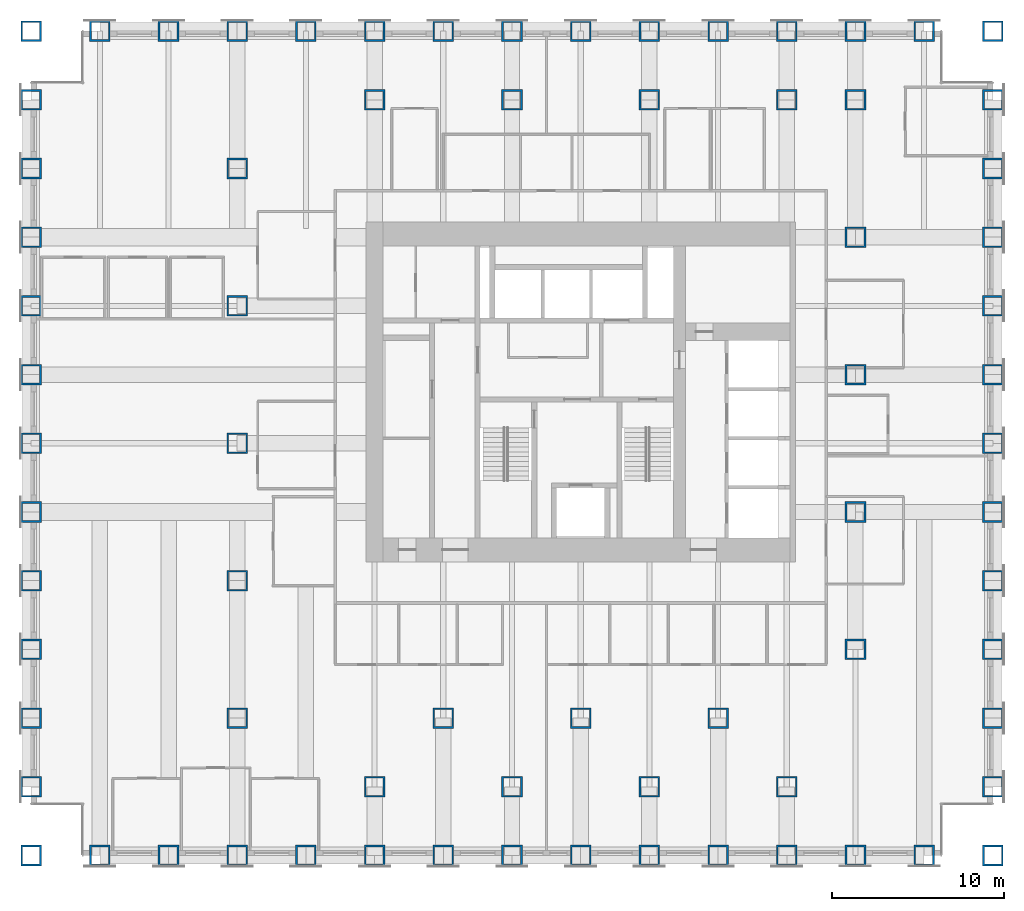
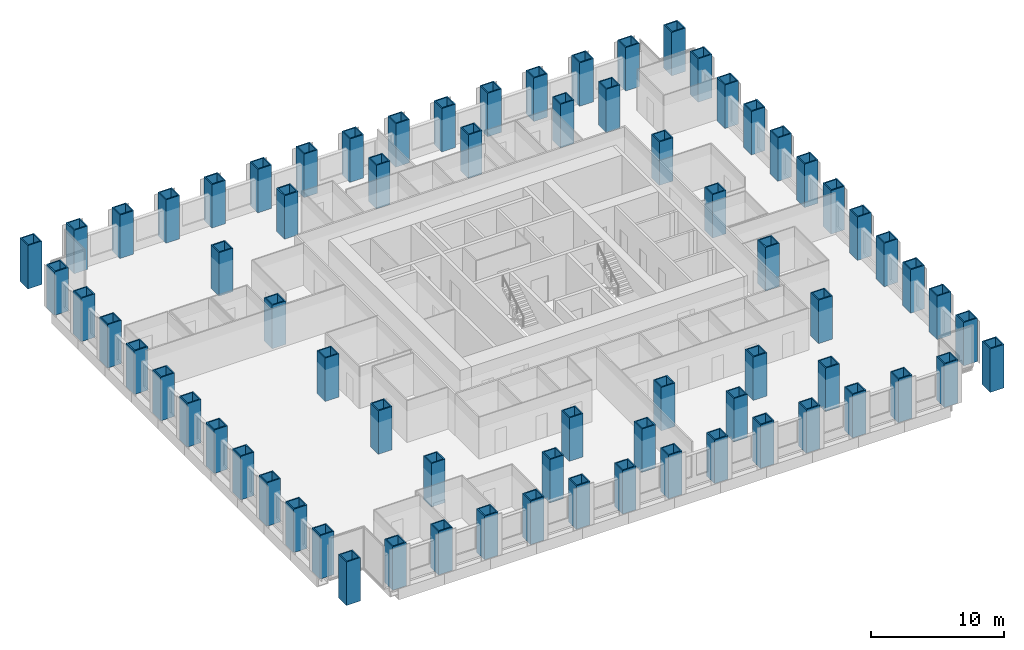
# One storey, part 1 of 14: 73 columns.
"""IFC4 building model written with IfcOpenShell, lengths in metres."""

from ifc_helpers import new_model, si_unit, direction, frame, origin, origin_2d, place, context, subcontext, project, spatial, hollow_rectangle, extrude, material, material_profile, profile_set, type_object, element, save


model = new_model("IFC4")

# Units and contexts
model_context = context("Model", 3, precision=1e-05, world=origin(), true_north=direction((0.0, 1.0)))
body_context = subcontext(model_context, "Body", "Model", "MODEL_VIEW")
ifc_project = project(units=[si_unit("LENGTHUNIT", "METRE"), si_unit("AREAUNIT", "SQUARE_METRE"), si_unit("VOLUMEUNIT", "CUBIC_METRE"), si_unit("PLANEANGLEUNIT", "RADIAN"), si_unit("MASSUNIT", "GRAM", prefix="KILO")], contexts=[model_context])

# Site, building, storey
site_placement = place(None, origin())
site = spatial("IfcSite", under=ifc_project, at=site_placement, CompositionType="ELEMENT")
building_placement = place(site_placement, origin())
building = spatial("IfcBuilding", under=site, at=building_placement, Name="Rimbunsela Tower", CompositionType="ELEMENT")
storey_placement = place(building_placement, frame((0.0, 0.0, 59.0)))
storey = spatial("IfcBuildingStorey", under=building, at=storey_placement, Name="L14", CompositionType="ELEMENT", Elevation=59.0)

# Columns
ifc_material = material(Name="Steel BJ 55 (fy 410 MPa)", Category="steel")
ifc_material_profile = material_profile(ifc_material, hollow_rectangle(XDim=1.199951171875, YDim=1.199951171875, WallThickness=0.10009765625, at=origin_2d()), Name="BOX 1200x1200x100")
ifc_profile_set = profile_set([ifc_material_profile], Name="Steel BJ 55 (fy 410 MPa)")
column_type = type_object("IfcColumnType", Name="Column BOX 1200x1200x100", PredefinedType="COLUMN", material=ifc_profile_set)
for number, where, z_axis, x_axis, name in (
    (1, (-2.0, 0.0, 0.0), (0.0, 0.0, 1.0), (1.0, 0.0, 0.0), "Column C7 2/B L14"),
    (2, (-2.0, 4.0, 0.0), (0.0, 0.0, 1.0), (1.0, 0.0, 0.0), "Column C7 2/C L14"),
    (3, (-2.0, 8.0, 0.0), (0.0, 0.0, 1.0), (1.0, 0.0, 0.0), "Column C7 2/D L14"),
    (4, (-2.0, 12.0, 0.0), (0.0, 0.0, 1.0), (1.0, 0.0, 0.0), "Column C7 2/E L14"),
    (5, (-2.0, 16.0, 0.0), (0.0, 0.0, 1.0), (1.0, 0.0, 0.0), "Column C7 2/F L14"),
    (6, (-2.0, 20.0, 0.0), (0.0, 0.0, 1.0), (1.0, 0.0, 0.0), "Column C7 2/G L14"),
    (7, (-2.0, 24.0, 0.0), (0.0, 0.0, 1.0), (1.0, 0.0, 0.0), "Column C7 2/H L14"),
    (8, (-2.0, 28.0, 0.0), (0.0, 0.0, 1.0), (1.0, 0.0, 0.0), "Column C7 2/J L14"),
    (9, (-2.0, 32.0, 0.0), (0.0, 0.0, 1.0), (1.0, 0.0, 0.0), "Column C7 2/K L14"),
    (10, (-2.0, 36.0, 0.0), (0.0, 0.0, 1.0), (1.0, 0.0, 0.0), "Column C7 2/L L14"),
    (11, (-2.0, 40.0, 0.0), (0.0, 0.0, 1.0), (1.0, 0.0, 0.0), "Column C7 2/M L14"),
    (12, (-2.0, 44.0, 0.0), (0.0, 0.0, 1.0), (1.0, 0.0, 0.0), "Column C7 2/N L14"),
    (13, (-2.0, 48.0, 0.0), (0.0, 0.0, 1.0), (1.0, 0.0, 0.0), "Column C7 2/P L14"),
    (14, (2.0, 0.0, 0.0), (0.0, 0.0, 1.0), (1.0, 0.0, 0.0), "Column C7 3/B L14"),
    (15, (2.0, 48.0, 0.0), (0.0, 0.0, 1.0), (1.0, 0.0, 0.0), "Column C7 3/P L14"),
    (16, (6.0, 0.0, 0.0), (0.0, 0.0, 1.0), (1.0, 0.0, 0.0), "Column C7 4/B L14"),
    (17, (6.0, 48.0, 0.0), (0.0, 0.0, 1.0), (1.0, 0.0, 0.0), "Column C7 4/P L14"),
    (18, (10.0, 0.0, 0.0), (0.0, 0.0, 1.0), (1.0, 0.0, 0.0), "Column C7 5/B L14"),
    (19, (10.0, 48.0, 0.0), (0.0, 0.0, 1.0), (1.0, 0.0, 0.0), "Column C7 5/P L14"),
    (20, (14.0, 0.0, 0.0), (0.0, 0.0, 1.0), (1.0, 0.0, 0.0), "Column C7 6/B L14"),
    (21, (14.0, 48.0, 0.0), (0.0, 0.0, 1.0), (1.0, 0.0, 0.0), "Column C7 6/P L14"),
    (22, (18.0, 0.0, 0.0), (0.0, 0.0, 1.0), (1.0, 0.0, 0.0), "Column C7 7/B L14"),
    (23, (18.0, 48.0, 0.0), (0.0, 0.0, 1.0), (1.0, 0.0, 0.0), "Column C7 7/P L14"),
    (24, (22.0, 0.0, 0.0), (0.0, 0.0, 1.0), (1.0, 0.0, 0.0), "Column C7 8/B L14"),
    (25, (22.0, 48.0, 0.0), (0.0, 0.0, 1.0), (1.0, 0.0, 0.0), "Column C7 8/P L14"),
    (26, (26.0, 0.0, 0.0), (0.0, 0.0, 1.0), (1.0, 0.0, 0.0), "Column C7 9/B L14"),
    (27, (26.0, 48.0, 0.0), (0.0, 0.0, 1.0), (1.0, 0.0, 0.0), "Column C7 9/P L14"),
    (28, (30.0, 0.0, 0.0), (0.0, 0.0, 1.0), (1.0, 0.0, 0.0), "Column C7 10/B L14"),
    (29, (30.0, 48.0, 0.0), (0.0, 0.0, 1.0), (1.0, 0.0, 0.0), "Column C7 10/P L14"),
    (30, (34.0, 0.0, 0.0), (0.0, 0.0, 1.0), (1.0, 0.0, 0.0), "Column C7 11/B L14"),
    (31, (34.0, 48.0, 0.0), (0.0, 0.0, 1.0), (1.0, 0.0, 0.0), "Column C7 11/P L14"),
    (32, (38.0, 0.0, 0.0), (0.0, 0.0, 1.0), (1.0, 0.0, 0.0), "Column C7 12/B L14"),
    (33, (38.0, 48.0, 0.0), (0.0, 0.0, 1.0), (1.0, 0.0, 0.0), "Column C7 12/P L14"),
    (34, (42.0, 0.0, 0.0), (0.0, 0.0, 1.0), (1.0, 0.0, 0.0), "Column C7 13/B L14"),
    (35, (42.0, 48.0, 0.0), (0.0, 0.0, 1.0), (1.0, 0.0, 0.0), "Column C7 13/P L14"),
    (36, (46.0, 0.0, 0.0), (0.0, 0.0, 1.0), (1.0, 0.0, 0.0), "Column C7 14/B L14"),
    (37, (46.0, 48.0, 0.0), (0.0, 0.0, 1.0), (1.0, 0.0, 0.0), "Column C7 14/P L14"),
    (38, (50.0, 0.0, 0.0), (0.0, 0.0, 1.0), (1.0, 0.0, 0.0), "Column C7 15/B L14"),
    (39, (50.0, 48.0, 0.0), (0.0, 0.0, 1.0), (1.0, 0.0, 0.0), "Column C7 15/P L14"),
    (40, (54.0, 0.0, 0.0), (0.0, 0.0, 1.0), (1.0, 0.0, 0.0), "Column C7 16/B L14"),
    (41, (54.0, 4.0, 0.0), (0.0, 0.0, 1.0), (1.0, 0.0, 0.0), "Column C7 16/C L14"),
    (42, (54.0, 8.0, 0.0), (0.0, 0.0, 1.0), (1.0, 0.0, 0.0), "Column C7 16/D L14"),
    (43, (54.0, 12.0, 0.0), (0.0, 0.0, 1.0), (1.0, 0.0, 0.0), "Column C7 16/E L14"),
    (44, (54.0, 16.0, 0.0), (0.0, 0.0, 1.0), (1.0, 0.0, 0.0), "Column C7 16/F L14"),
    (45, (54.0, 20.0, 0.0), (0.0, 0.0, 1.0), (1.0, 0.0, 0.0), "Column C7 16/G L14"),
    (46, (54.0, 24.0, 0.0), (0.0, 0.0, 1.0), (1.0, 0.0, 0.0), "Column C7 16/H L14"),
    (47, (54.0, 28.0, 0.0), (0.0, 0.0, 1.0), (1.0, 0.0, 0.0), "Column C7 16/J L14"),
    (48, (54.0, 32.0, 0.0), (0.0, 0.0, 1.0), (1.0, 0.0, 0.0), "Column C7 16/K L14"),
    (49, (54.0, 36.0, 0.0), (0.0, 0.0, 1.0), (1.0, 0.0, 0.0), "Column C7 16/L L14"),
    (50, (54.0, 40.0, 0.0), (0.0, 0.0, 1.0), (1.0, 0.0, 0.0), "Column C7 16/M L14"),
    (51, (54.0, 44.0, 0.0), (0.0, 0.0, 1.0), (1.0, 0.0, 0.0), "Column C7 16/N L14"),
    (52, (54.0, 48.0, 0.0), (0.0, 0.0, 1.0), (1.0, 0.0, 0.0), "Column C7 16/P L14"),
    (53, (10.0, 8.0, 0.0), (0.0, 0.0, 1.0), (1.0, 0.0, 0.0), "Column C7 5/D L14"),
    (54, (10.0, 16.0, 0.0), (0.0, 0.0, 1.0), (1.0, 0.0, 0.0), "Column C7 5/F L14"),
    (55, (10.0, 24.0, 0.0), (0.0, 0.0, 1.0), (1.0, 0.0, 0.0), "Column C7 5/H L14"),
    (56, (10.0, 32.0, 0.0), (0.0, 0.0, 1.0), (1.0, 0.0, 0.0), "Column C7 5/K L14"),
    (57, (10.0, 40.0, 0.0), (0.0, 0.0, 1.0), (1.0, 0.0, 0.0), "Column C7 5/M L14"),
    (58, (18.0, 4.0, 0.0), (0.0, 0.0, 1.0), (1.0, 0.0, 0.0), "Column C7 7/C L14"),
    (59, (18.0, 44.0, 0.0), (0.0, 0.0, 1.0), (1.0, 0.0, 0.0), "Column C7 7/N L14"),
    (60, (22.0, 8.0, 0.0), (0.0, 0.0, 1.0), (1.0, 0.0, 0.0), "Column C7 8/D L14"),
    (61, (26.0, 4.0, 0.0), (0.0, 0.0, 1.0), (1.0, 0.0, 0.0), "Column C7 9/C L14"),
    (62, (26.0, 44.0, 0.0), (0.0, 0.0, 1.0), (1.0, 0.0, 0.0), "Column C7 9/N L14"),
    (63, (30.0, 8.0, 0.0), (0.0, 0.0, 1.0), (1.0, 0.0, 0.0), "Column C7 10/D L14"),
    (64, (34.0, 4.0, 0.0), (0.0, 0.0, 1.0), (1.0, 0.0, 0.0), "Column C7 11/C L14"),
    (65, (34.0, 44.0, 0.0), (0.0, 0.0, 1.0), (1.0, 0.0, 0.0), "Column C7 11/N L14"),
    (66, (38.0, 8.0, 0.0), (0.0, 0.0, 1.0), (1.0, 0.0, 0.0), "Column C7 12/D L14"),
    (67, (42.0, 4.0, 0.0), (0.0, 0.0, 1.0), (1.0, 0.0, 0.0), "Column C7 13/C L14"),
    (68, (42.0, 44.0, 0.0), (0.0, 0.0, 1.0), (1.0, 0.0, 0.0), "Column C7 13/N L14"),
    (69, (46.0, 12.0, 0.0), (0.0, 0.0, 1.0), (1.0, 0.0, 0.0), "Column C7 14/E L14"),
    (70, (46.0, 20.0, 0.0), (0.0, 0.0, 1.0), (1.0, 0.0, 0.0), "Column C7 14/G L14"),
    (71, (46.0, 28.0, 0.0), (0.0, 0.0, 1.0), (1.0, 0.0, 0.0), "Column C7 14/J L14"),
    (72, (46.0, 36.0, 0.0), (0.0, 0.0, 1.0), (1.0, 0.0, 0.0), "Column C7 14/L L14"),
    (73, (46.0, 44.0, 0.0), (0.0, 0.0, 1.0), (1.0, 0.0, 0.0), "Column C7 14/N L14"),
):
    element("IfcColumn", number, at=place(storey_placement, frame(where, z_axis=z_axis, x_axis=x_axis)), inside=storey, type_object=column_type, Name=name, PredefinedType="COLUMN", context=body_context, shape_type="SweptSolid", body=[
        extrude(hollow_rectangle(XDim=1.199951171875, YDim=1.199951171875, WallThickness=0.10009765625, at=origin_2d()), origin(), (0.0, 0.0, 1.0), 4.0),
    ])

save(model, "model.ifc")
